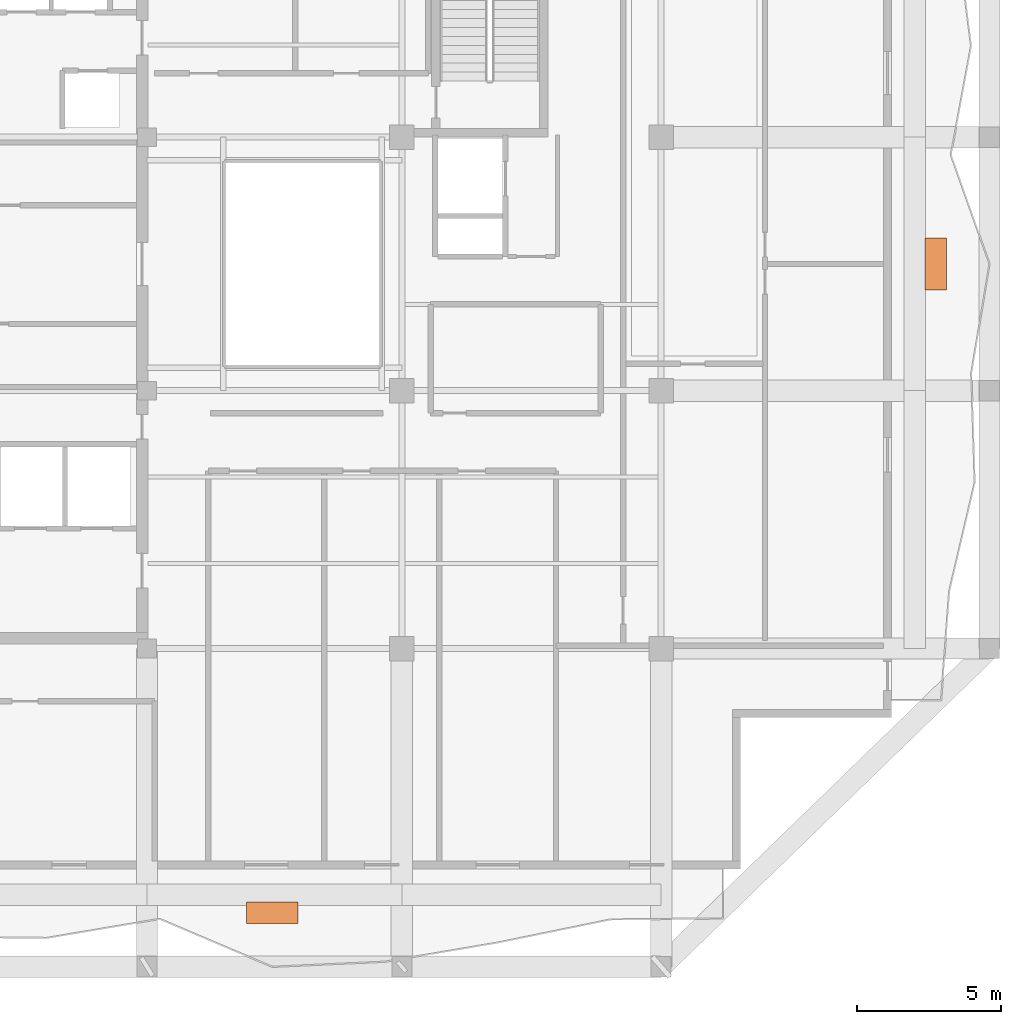
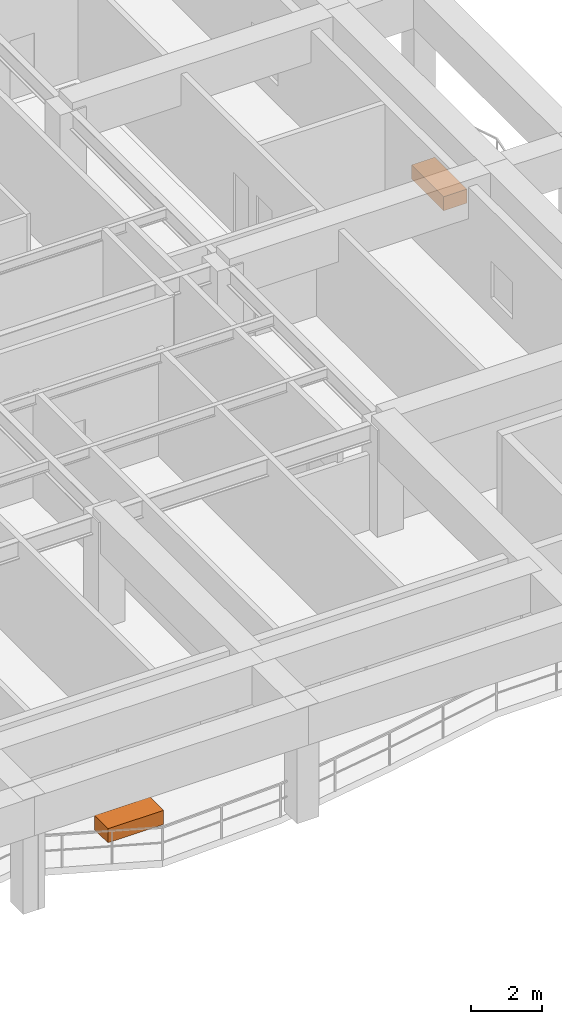
# One storey, part 11 of 11: 2 proxies.
"""IFC4 building model written with IfcOpenShell, lengths in metres."""

from ifc_helpers import new_model, si_unit, direction, frame, origin, origin_2d, place, context, subcontext, project, spatial, rectangle, extrude, material, type_object, element, save


model = new_model("IFC4")

# Units and contexts
model_context = context("Model", 3, precision=1e-05, world=origin(), true_north=direction((0.0, 1.0)))
body_context = subcontext(model_context, "Body", "Model", "MODEL_VIEW")
ifc_project = project(units=[si_unit("LENGTHUNIT", "METRE"), si_unit("AREAUNIT", "SQUARE_METRE"), si_unit("VOLUMEUNIT", "CUBIC_METRE"), si_unit("PLANEANGLEUNIT", "RADIAN"), si_unit("MASSUNIT", "GRAM", prefix="KILO")], contexts=[model_context])

# Site, building, storey
site_placement = place(None, origin())
site = spatial("IfcSite", under=ifc_project, at=site_placement, CompositionType="ELEMENT")
building_placement = place(site_placement, origin())
building = spatial("IfcBuilding", under=site, at=building_placement, Name="Kundavana Baori Tower", CompositionType="ELEMENT")
storey_placement = place(building_placement, frame((0.0, 0.0, 268.699951171875)))
storey = spatial("IfcBuildingStorey", under=building, at=storey_placement, Name="L66", CompositionType="ELEMENT", Elevation=268.699951171875)

# Proxies
ifc_material = material(Name="Red-Buff Dholpur Sandstone Cladding on Concrete C40/50", Category="masonry")
building_element_proxy_type = type_object("IfcBuildingElementProxyType", Name="PRX-PLANTER-1800", PredefinedType="USERDEFINED", material=ifc_material)
for number, where, z_axis, x_axis, name in (
    (1, (29.300048828125, 6.070068359375, 0.0), (0.0, 0.0, 1.0), (1.0, 0.0, 0.0), "L66 Dholpur Stone Structural Tree Planter S"),
    (2, (52.330078125, 28.60009765625, 0.0), (0.0, 0.0, 1.0), (0.0, 1.0, 0.0), "L66 Dholpur Stone Structural Tree Planter E"),
):
    element("IfcBuildingElementProxy", number, at=place(storey_placement, frame(where, z_axis=z_axis, x_axis=x_axis)), inside=storey, type_object=building_element_proxy_type, Name=name, ObjectType="PLANTER", PredefinedType="USERDEFINED", context=body_context, shape_type="SweptSolid", body=[
        extrude(rectangle(XDim=1.800048828125, YDim=0.75, at=origin_2d()), origin(), (0.0, 0.0, 1.0), 0.47998046875),
    ])

save(model, "model.ifc")
